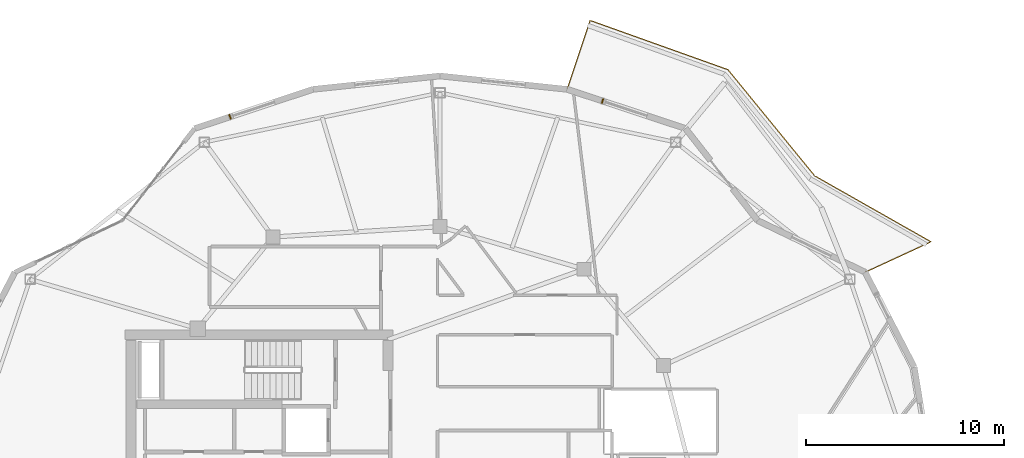
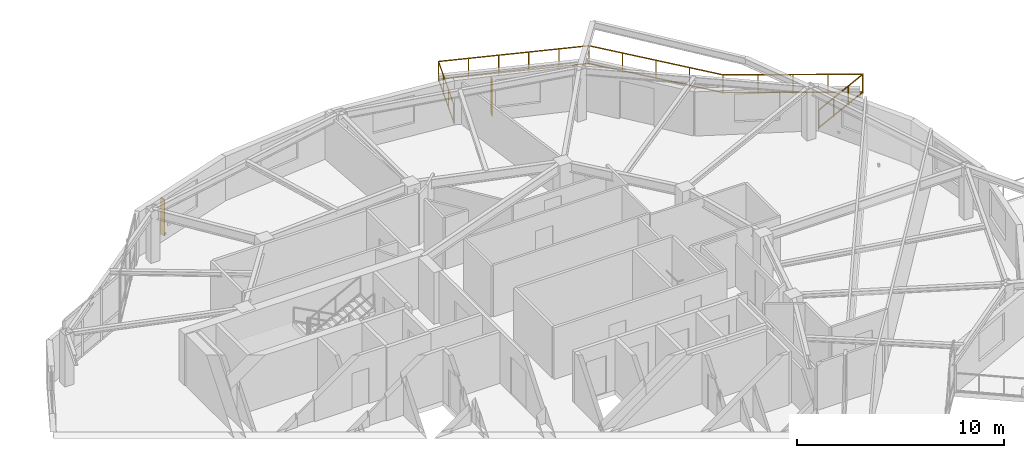
# One storey, part 19 of 19: 2 shading devices, 1 railing.
"""IFC4 building model written with IfcOpenShell, lengths in metres."""

from ifc_helpers import new_model, si_unit, direction, frame, origin, origin_2d, place, context, subcontext, project, spatial, rectangle, extrude, material, type_object, element, save


model = new_model("IFC4")

# Units and contexts
model_context = context("Model", 3, precision=1e-05, world=origin(), true_north=direction((0.0, 1.0)))
body_context = subcontext(model_context, "Body", "Model", "MODEL_VIEW")
ifc_project = project(units=[si_unit("LENGTHUNIT", "METRE"), si_unit("AREAUNIT", "SQUARE_METRE"), si_unit("VOLUMEUNIT", "CUBIC_METRE"), si_unit("PLANEANGLEUNIT", "RADIAN"), si_unit("MASSUNIT", "GRAM", prefix="KILO")], contexts=[model_context])

# Site, building, storey
site_placement = place(None, origin())
site = spatial("IfcSite", under=ifc_project, at=site_placement, CompositionType="ELEMENT")
building_placement = place(site_placement, origin())
building = spatial("IfcBuilding", under=site, at=building_placement, Name="Kolvaren Gate Tower and Convention Centre", CompositionType="ELEMENT")
storey_placement = place(building_placement, frame((0.0, 0.0, 212.89990234375)))
storey = spatial("IfcBuildingStorey", under=building, at=storey_placement, Name="L56", CompositionType="ELEMENT", Elevation=212.89990234375)

# Railing
ifc_material_1 = material(Name="Brushed Stainless Steel Grade 316L", Category="steel")
railing_type = type_object("IfcRailingType", Name="ARCH-RL-GUARD-1150", PredefinedType="GUARDRAIL", material=ifc_material_1)
railing_placement = place(storey_placement, frame((51.55908203125, 36.89990234375, 0.0)))
element("IfcRailing", 1, at=railing_placement, inside=storey, type_object=railing_type, Name="Tower L56 Terrace Perimeter Guardrail GR-1", PredefinedType="GUARDRAIL", context=body_context, shape_type="SweptSolid", body=[
    extrude(rectangle(XDim=0.048095703125, YDim=0.048095703125, at=origin_2d()), frame((0.025390625, 0.01171875, 1.1259765625), z_axis=(0.907820723829, 0.419358478377, 0.0), x_axis=(-0.419358478377, 0.907820723829, 0.0)), (0.0, 0.0, 1.0), 3.60400390625),
    extrude(rectangle(XDim=0.048095703125, YDim=0.048095703125, at=origin_2d()), frame((0.025390625, 0.01171875, 0.083984375), z_axis=(0.907820723829, 0.419358478377, 0.0), x_axis=(-0.419358478377, 0.907820723829, 0.0)), (0.0, 0.0, 1.0), 3.60400390625),
    extrude(rectangle(XDim=0.048095703125, YDim=0.048095703125, at=origin_2d()), frame((3.29833984375, 1.548828125, 1.1259765625), z_axis=(-0.869876155964, 0.493270182846, 0.0), x_axis=(-0.493270182846, -0.869876155964, 0.0)), (0.0, 0.0, 1.0), 6.6865234375),
    extrude(rectangle(XDim=0.048095703125, YDim=0.048095703125, at=origin_2d()), frame((3.29833984375, 1.548828125, 0.083984375), z_axis=(-0.869876155964, 0.493270182846, 0.0), x_axis=(-0.493270182846, -0.869876155964, 0.0)), (0.0, 0.0, 1.0), 6.6865234375),
    extrude(rectangle(XDim=0.048095703125, YDim=0.048095703125, at=origin_2d()), frame((-2.560302734375, 4.882568359375, 1.1259765625), z_axis=(-0.632718487063, 0.77438189295, 0.0), x_axis=(-0.77438189295, -0.632718487063, 0.0)), (0.0, 0.0, 1.0), 6.858154296875),
    extrude(rectangle(XDim=0.048095703125, YDim=0.048095703125, at=origin_2d()), frame((-2.560302734375, 4.882568359375, 0.083984375), z_axis=(-0.632718487063, 0.77438189295, 0.0), x_axis=(-0.77438189295, -0.632718487063, 0.0)), (0.0, 0.0, 1.0), 6.858154296875),
    extrude(rectangle(XDim=0.048095703125, YDim=0.048095703125, at=origin_2d()), frame((-6.943603515625, 10.224609375, 1.1259765625), z_axis=(-0.941783827204, 0.336219010197, 0.0), x_axis=(-0.336219010197, -0.941783827204, 0.0)), (0.0, 0.0, 1.0), 7.322265625),
    extrude(rectangle(XDim=0.048095703125, YDim=0.048095703125, at=origin_2d()), frame((-6.943603515625, 10.224609375, 0.083984375), z_axis=(-0.941783827204, 0.336219010197, 0.0), x_axis=(-0.336219010197, -0.941783827204, 0.0)), (0.0, 0.0, 1.0), 7.322265625),
    extrude(rectangle(XDim=0.048095703125, YDim=0.048095703125, at=origin_2d()), frame((-13.874755859375, 12.669189453125, 1.1259765625), z_axis=(-0.317588247294, -0.948228719867, 0.0), x_axis=(0.948228719867, -0.317588247294, 0.0)), (0.0, 0.0, 1.0), 3.603759765625),
    extrude(rectangle(XDim=0.048095703125, YDim=0.048095703125, at=origin_2d()), frame((-13.874755859375, 12.669189453125, 0.083984375), z_axis=(-0.317588247294, -0.948228719867, 0.0), x_axis=(0.948228719867, -0.317588247294, 0.0)), (0.0, 0.0, 1.0), 3.603759765625),
    extrude(rectangle(XDim=0.0419921875, YDim=0.0419921875, at=origin_2d()), origin(), (0.0, 0.0, 1.0), 1.14990234375),
    extrude(rectangle(XDim=0.0419921875, YDim=0.0419921875, at=origin_2d()), frame((3.32275390625, 1.534912109375, 0.0)), (0.0, 0.0, 1.0), 1.14990234375),
    extrude(rectangle(XDim=0.0419921875, YDim=0.0419921875, at=origin_2d()), frame((1.107666015625, 0.51171875, 0.0)), (0.0, 0.0, 1.0), 1.099853515625),
    extrude(rectangle(XDim=0.0419921875, YDim=0.0419921875, at=origin_2d()), frame((2.215087890625, 1.023193359375, 0.0)), (0.0, 0.0, 1.0), 1.099853515625),
    extrude(rectangle(XDim=0.0419921875, YDim=0.0419921875, at=origin_2d()), frame((-2.54248046875, 4.86083984375, 0.0)), (0.0, 0.0, 1.0), 1.14990234375),
    extrude(rectangle(XDim=0.0419921875, YDim=0.0419921875, at=origin_2d()), frame((1.8564453125, 2.366455078125, 0.0)), (0.0, 0.0, 1.0), 1.099853515625),
    extrude(rectangle(XDim=0.0419921875, YDim=0.0419921875, at=origin_2d()), frame((0.39013671875, 3.19775390625, 0.0)), (0.0, 0.0, 1.0), 1.099853515625),
    extrude(rectangle(XDim=0.0419921875, YDim=0.0419921875, at=origin_2d()), frame((-1.076171875, 4.029296875, 0.0)), (0.0, 0.0, 1.0), 1.099853515625),
    extrude(rectangle(XDim=0.0419921875, YDim=0.0419921875, at=origin_2d()), frame((-6.917236328125, 10.215087890625, 0.0)), (0.0, 0.0, 1.0), 1.14990234375),
    extrude(rectangle(XDim=0.0419921875, YDim=0.0419921875, at=origin_2d()), frame((-3.63623046875, 6.199462890625, 0.0)), (0.0, 0.0, 1.0), 1.099853515625),
    extrude(rectangle(XDim=0.0419921875, YDim=0.0419921875, at=origin_2d()), frame((-4.72998046875, 7.5380859375, 0.0)), (0.0, 0.0, 1.0), 1.099853515625),
    extrude(rectangle(XDim=0.0419921875, YDim=0.0419921875, at=origin_2d()), frame((-5.823486328125, 8.87646484375, 0.0)), (0.0, 0.0, 1.0), 1.099853515625),
    extrude(rectangle(XDim=0.0419921875, YDim=0.0419921875, at=origin_2d()), frame((-13.865966796875, 12.69580078125, 0.0)), (0.0, 0.0, 1.0), 1.14990234375),
    extrude(rectangle(XDim=0.0419921875, YDim=0.0419921875, at=origin_2d()), frame((-8.306884765625, 10.711181640625, 0.0)), (0.0, 0.0, 1.0), 1.099853515625),
    extrude(rectangle(XDim=0.0419921875, YDim=0.0419921875, at=origin_2d()), frame((-9.69677734375, 11.207275390625, 0.0)), (0.0, 0.0, 1.0), 1.099853515625),
    extrude(rectangle(XDim=0.0419921875, YDim=0.0419921875, at=origin_2d()), frame((-11.08642578125, 11.70361328125, 0.0)), (0.0, 0.0, 1.0), 1.099853515625),
    extrude(rectangle(XDim=0.0419921875, YDim=0.0419921875, at=origin_2d()), frame((-12.476318359375, 12.19970703125, 0.0)), (0.0, 0.0, 1.0), 1.099853515625),
    extrude(rectangle(XDim=0.0419921875, YDim=0.0419921875, at=origin_2d()), frame((-15.0283203125, 9.225341796875, 0.0)), (0.0, 0.0, 1.0), 1.14990234375),
    extrude(rectangle(XDim=0.0419921875, YDim=0.0419921875, at=origin_2d()), frame((-14.25341796875, 11.5390625, 0.0)), (0.0, 0.0, 1.0), 1.099853515625),
    extrude(rectangle(XDim=0.0419921875, YDim=0.0419921875, at=origin_2d()), frame((-14.640869140625, 10.382080078125, 0.0)), (0.0, 0.0, 1.0), 1.099853515625),
])

# Shading devices
ifc_material_2 = material(Name="Kiln-Fired Bogota Terracotta Ceramic Louvre Profile", Category="masonry")
shading_device_type = type_object("IfcShadingDeviceType", Name="ARCH-SHD-FIN-180", PredefinedType="JALOUSIE", material=ifc_material_2)
for number, where, z_axis, x_axis, name in (
    (2, (38.319091796875, 45.53271484375, 0.22021484375), (0.0, 0.0, 1.0), (0.949241728595, -0.314547517385, 0.0), "Ceramic Vertical Brise-Soleil Fin FN-L56-04"),
    (3, (19.538330078125, 44.739990234375, 0.22021484375), (0.0, 0.0, 1.0), (0.949241728595, 0.314547517385, 0.0), "Ceramic Vertical Brise-Soleil Fin FN-L56-07"),
):
    element("IfcShadingDevice", number, at=place(storey_placement, frame(where, z_axis=z_axis, x_axis=x_axis)), inside=storey, type_object=shading_device_type, Name=name, PredefinedType="JALOUSIE", context=body_context, shape_type="SweptSolid", body=[
        extrude(rectangle(XDim=0.06005859375, YDim=0.239990234375, at=origin_2d()), origin(), (0.0, 0.0, 1.0), 2.14990234375),
    ])

save(model, "model.ifc")
